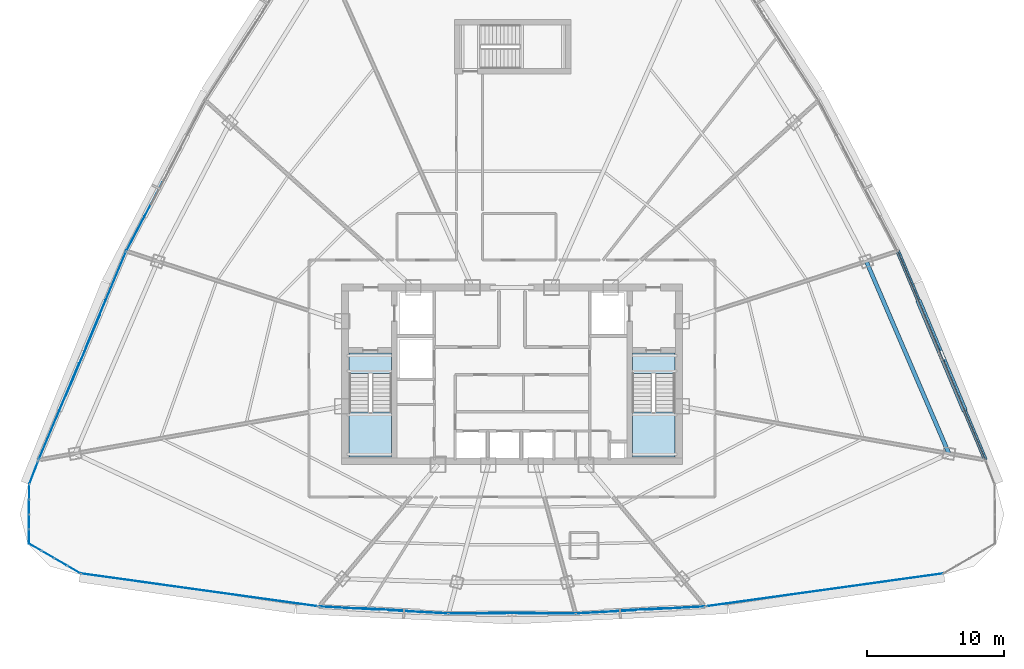
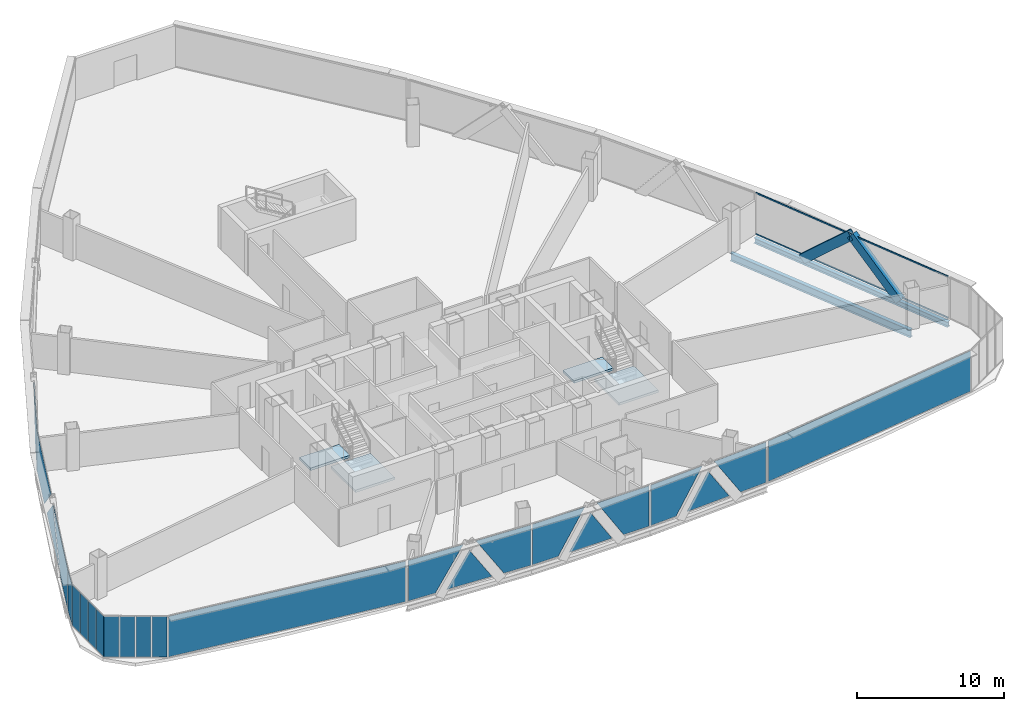
# One storey, part 27 of 36: 24 plates, 4 members, 4 slabs, 2 beams, 13 elements without a shape of their own.
"""IFC4 building model written with IfcOpenShell, lengths in metres."""

from ifc_helpers import new_model, si_unit, direction, frame, origin, origin_2d, place, context, subcontext, project, spatial, polyline, rectangle, hollow_rectangle, i_section, outline, extrude, source, transform, mapped, material, layer, layer_set, material_profile, profile_set, type_object, element, aggregate, save


model = new_model("IFC4")

# Units and contexts
model_context = context("Model", 3, precision=1e-05, world=origin(), true_north=direction((0.0, 1.0)))
body_context = subcontext(model_context, "Body", "Model", "MODEL_VIEW")
ifc_project = project(units=[si_unit("LENGTHUNIT", "METRE"), si_unit("AREAUNIT", "SQUARE_METRE"), si_unit("VOLUMEUNIT", "CUBIC_METRE"), si_unit("PLANEANGLEUNIT", "RADIAN"), si_unit("MASSUNIT", "GRAM", prefix="KILO"), si_unit("THERMODYNAMICTEMPERATUREUNIT", "KELVIN"), si_unit("POWERUNIT", "WATT")], contexts=[model_context])

# Site, building, storey
site_placement = place(None, origin())
site = spatial("IfcSite", under=ifc_project, at=site_placement, CompositionType="ELEMENT")
building_placement = place(site_placement, origin())
building = spatial("IfcBuilding", under=site, at=building_placement, Name="Yunzhuo Pagoda Commons", CompositionType="ELEMENT")
storey_placement = place(building_placement, frame((0.0, 0.0, 244.530029296875)))
storey = spatial("IfcBuildingStorey", under=building, at=storey_placement, Name="L61", CompositionType="ELEMENT", Elevation=244.530029296875)

# Beams
ifc_material_1 = material(Name="Structural steel Q355B", Category="steel")
ifc_material_profile_1 = material_profile(ifc_material_1, i_section(OverallWidth=0.300048828125, OverallDepth=0.64990234375, WebThickness=0.012939453125, FlangeThickness=0.02197265625, at=origin_2d()), Name="Structural steel Q355B")
ifc_profile_set_1 = profile_set([ifc_material_profile_1], Name="Structural steel Q355B")
beam_type_1 = type_object("IfcBeamType", Name="B-RG2 Beam HN 650x300x13x22", PredefinedType="BEAM", material=ifc_profile_set_1)
shared_shape_1 = source(origin(), body_context, "Body", "SweptSolid", [
    extrude(i_section(OverallWidth=0.300048828125, OverallDepth=0.64990234375, WebThickness=0.012939453125, FlangeThickness=0.02197265625, at=origin_2d()), origin(), (0.0, 0.0, 1.0), 15.28759765625),
])
beam_1_placement = place(storey_placement, frame((79.93408203125, 28.069091796875, -0.5849609375), z_axis=(-0.394788372839, 0.918772083093, 0.0), x_axis=(-0.918772083093, -0.394788372839, 0.0)))
element("IfcBeam", 1, at=beam_1_placement, inside=storey, type_object=beam_type_1, Name="L61 column-ring beam 5", PredefinedType="BEAM", context=body_context, shape_type="MappedRepresentation", body=[
    mapped(shared_shape_1, transform((0.0, 0.0, 0.0), scale=1.0)),
])
ifc_material_profile_2 = material_profile(ifc_material_1, i_section(OverallWidth=0.300048828125, OverallDepth=0.43994140625, WebThickness=0.010986328125, FlangeThickness=0.01806640625, at=origin_2d()), Name="Structural steel Q355B")
ifc_profile_set_2 = profile_set([ifc_material_profile_2], Name="Structural steel Q355B")
beam_type_2 = type_object("IfcBeamType", Name="B-SP2 Beam HM 440x300x11x18", PredefinedType="BEAM", material=ifc_profile_set_2)
shared_shape_2 = source(origin(), body_context, "Body", "SweptSolid", [
    extrude(i_section(OverallWidth=0.300048828125, OverallDepth=0.43994140625, WebThickness=0.010986328125, FlangeThickness=0.01806640625, at=origin_2d()), origin(), (0.0, 0.0, 1.0), 16.5537109375),
])
beam_2_placement = place(storey_placement, frame((82.6044921875, 27.598388671875, -0.47998046875), z_axis=(-0.387160772063, 0.922012221489, 0.0), x_axis=(-0.922012221489, -0.387160772063, 0.0)))
element("IfcBeam", 2, at=beam_2_placement, inside=storey, type_object=beam_type_2, Name="L61 facade edge spandrel beam F2.1", PredefinedType="BEAM", context=body_context, shape_type="MappedRepresentation", body=[
    mapped(shared_shape_2, transform((0.0, 0.0, 0.0), scale=1.0)),
])

# Members
ifc_material_profile_3 = material_profile(ifc_material_1, hollow_rectangle(XDim=0.39990234375, YDim=0.719970703125, WallThickness=0.02392578125, at=origin_2d()), Name="Structural steel Q355B")
ifc_profile_set_3 = profile_set([ifc_material_profile_3], Name="Structural steel Q355B")
member_type_1 = type_object("IfcMemberType", Name="M-DL2 Brace BOX 720x400x24", PredefinedType="BRACE", material=ifc_profile_set_3)
shared_shape_3 = source(origin(), body_context, "Body", "SweptSolid", [
    extrude(hollow_rectangle(XDim=0.39990234375, YDim=0.719970703125, WallThickness=0.02392578125, at=origin_2d()), origin(), (0.0, 0.0, 1.0), 5.571044921875),
])
for number, where, z_axis, x_axis, name in (
    (3, (81.002197265625, 31.414306640625, -0.259765625), (-0.287614702864, 0.684876211544, 0.669494105692), (-0.921998112724, -0.387194369965, 0.0), "L61 facade diamond brace F2.1L"),
    (4, (77.797607421875, 39.04541015625, -0.259765625), (0.287606070571, -0.684899478433, 0.669474011902), (0.922006956735, 0.387173309684, 0.0), "L61 facade diamond brace F2.1R"),
):
    element("IfcMember", number, at=place(storey_placement, frame(where, z_axis=z_axis, x_axis=x_axis)), inside=storey, type_object=member_type_1, Name=name, PredefinedType="BRACE", context=body_context, shape_type="MappedRepresentation", body=[
        mapped(shared_shape_3, transform((0.0, 0.0, 0.0), scale=1.0)),
    ])

# Curtain wall, members
ifc_material_2 = material(Name="Anodized aluminium 6063-T6", Category="aluminium")
ifc_layer_1 = layer(ifc_material_2, 0.139892578125)
ifc_layer_set_1 = layer_set([ifc_layer_1], Name="Anodized aluminium 6063-T6")
curtain_wall_type_1 = type_object("IfcCurtainWallType", Name="CW-HI High-Zone Ribbon Curtain Wall", PredefinedType="NOTDEFINED", material=ifc_layer_set_1)
curtain_wall_1_placement = place(storey_placement, origin())
curtain_wall_1 = element("IfcCurtainWall", 5, at=curtain_wall_1_placement, inside=storey, type_object=curtain_wall_type_1, Name="L61 curtain wall CW-L61-F2B2", PredefinedType="NOTDEFINED")
ifc_material_profile_4 = material_profile(ifc_material_2, hollow_rectangle(XDim=0.054931640625, YDim=0.1201171875, WallThickness=0.00341796875, at=origin_2d()), Name="Anodized aluminium 6063-T6")
ifc_profile_set_4 = profile_set([ifc_material_profile_4], Name="Anodized aluminium 6063-T6")
member_type_2 = type_object("IfcMemberType", Name="CW-HI-T Transom RHS 120x55x3.5", PredefinedType="USERDEFINED", material=ifc_profile_set_4)
shared_shape_4 = source(origin(), body_context, "Body", "SweptSolid", [
    extrude(hollow_rectangle(XDim=0.054931640625, YDim=0.1201171875, WallThickness=0.00341796875, at=origin_2d()), origin(), (0.0, 0.0, 1.0), 16.433837890625),
])
member_1_placement = place(storey_placement, frame((82.581298828125, 27.65380859375, 0.027587890625), z_axis=(-0.38717616129, 0.922005759271, 0.0), x_axis=(-0.922005759271, -0.38717616129, 0.0)))
member_1 = element("IfcMember", 6, at=member_1_placement, type_object=member_type_2, Name="CW transom 1.1", ObjectType="TRANSOM", PredefinedType="USERDEFINED", context=body_context, shape_type="MappedRepresentation", body=[
    mapped(shared_shape_4, transform((0.0, 0.0, 0.0), scale=1.0)),
])
member_2_placement = place(storey_placement, frame((82.581298828125, 27.65380859375, 3.4423828125), z_axis=(-0.38717616129, 0.922005759271, 0.0), x_axis=(-0.922005759271, -0.38717616129, 0.0)))
member_2 = element("IfcMember", 7, at=member_2_placement, type_object=member_type_2, Name="CW transom 1.2", ObjectType="TRANSOM", PredefinedType="USERDEFINED", context=body_context, shape_type="MappedRepresentation", body=[
    mapped(shared_shape_4, transform((0.0, 0.0, 0.0), scale=1.0)),
])
aggregate(curtain_wall_1, [member_1, member_2])

# Curtain wall, plates
curtain_wall_2_placement = place(storey_placement, origin())
curtain_wall_2 = element("IfcCurtainWall", 8, at=curtain_wall_2_placement, inside=storey, type_object=curtain_wall_type_1, Name="L61 curtain wall CW-L61-F1B2", PredefinedType="NOTDEFINED")
ifc_material_3 = material(Name="Tempered low-e double glazing", Category="glass")
ifc_layer_2 = layer(ifc_material_3, 0.02587890625)
ifc_layer_set_2 = layer_set([ifc_layer_2], Name="Tempered low-e double glazing")
plate_type_1 = type_object("IfcPlateType", Name="CW-HI-P Low-E Double Glazing 26", PredefinedType="CURTAIN_PANEL", material=ifc_layer_set_2)
plate_1_placement = place(storey_placement, frame((36.045654296875, 16.781494140625, 1.73486328125), z_axis=(-0.054497194278, -0.998513923697, 0.0), x_axis=(0.998513923697, -0.054497194278, 0.0)))
plate_1 = element("IfcPlate", 9, at=plate_1_placement, type_object=plate_type_1, Name="CW panel 1.1 lite 1", PredefinedType="CURTAIN_PANEL", context=body_context, shape_type="SweptSolid", body=[
    extrude(outline(polyline([(-2.097412109375, -1.679931640625), (-0.03759765625, -1.679931640625), (2.097412109375, 1.679931640625), (-2.097412109375, 1.679931640625), (-2.097412109375, -1.679931640625)])), origin(), (0.0, 0.0, 1.0), 0.028076171875),
])
plate_2_placement = place(storey_placement, frame((38.625732421875, 16.6708984375, 1.408203125), z_axis=(-0.054497194278, -0.998513923697, 0.0), x_axis=(0.998513923697, -0.054497194278, 0.0)))
plate_2 = element("IfcPlate", 10, at=plate_2_placement, type_object=plate_type_1, Name="CW panel 1.1 lite 2", PredefinedType="CURTAIN_PANEL", context=body_context, shape_type="SweptSolid", body=[
    extrude(outline(polyline([(-1.719482421875, -1.353271484375), (1.719482421875, -1.353271484375), (0.0, 1.353271484375), (-1.719482421875, -1.353271484375)])), origin(), (0.0, 0.0, 1.0), 0.028076171875),
])
plate_3_placement = place(storey_placement, frame((41.20263671875, 16.500244140625, 1.73486328125), z_axis=(-0.054497194278, -0.998513923697, 0.0), x_axis=(0.998513923697, -0.054497194278, 0.0)))
plate_3 = element("IfcPlate", 11, at=plate_3_placement, type_object=plate_type_1, Name="CW panel 1.1 lite 3", PredefinedType="CURTAIN_PANEL", context=body_context, shape_type="SweptSolid", body=[
    extrude(outline(polyline([(-2.097412109375, 1.679931640625), (0.03759765625, -1.679931640625), (2.097412109375, -1.679931640625), (2.097412109375, 1.679931640625), (-2.097412109375, 1.679931640625)])), origin(), (0.0, 0.0, 1.0), 0.028076171875),
])
aggregate(curtain_wall_2, [plate_1, plate_2, plate_3])

curtain_wall_3_placement = place(storey_placement, origin())
curtain_wall_3 = element("IfcCurtainWall", 12, at=curtain_wall_3_placement, inside=storey, type_object=curtain_wall_type_1, Name="L61 curtain wall CW-L61-F1B3", PredefinedType="NOTDEFINED")
plate_4_placement = place(storey_placement, frame((45.467041015625, 16.3828125, 1.73486328125), z_axis=(0.0, -1.0, 0.0), x_axis=(1.0, 0.0, 0.0)))
plate_4 = element("IfcPlate", 13, at=plate_4_placement, type_object=plate_type_1, Name="CW panel 1.1 lite 1", PredefinedType="CURTAIN_PANEL", context=body_context, shape_type="SweptSolid", body=[
    extrude(outline(polyline([(-2.051025390625, -1.679931640625), (-0.04052734375, -1.679931640625), (2.051025390625, 1.679931640625), (-2.051025390625, 1.679931640625), (-2.051025390625, -1.679931640625)])), origin(), (0.0, 0.0, 1.0), 0.028076171875),
])
plate_5_placement = place(storey_placement, frame((48.0, 16.41259765625, 1.403076171875), z_axis=(0.0, -1.0, 0.0), x_axis=(1.0, 0.0, 0.0)))
plate_5 = element("IfcPlate", 14, at=plate_5_placement, type_object=plate_type_1, Name="CW panel 1.1 lite 2", PredefinedType="CURTAIN_PANEL", context=body_context, shape_type="SweptSolid", body=[
    extrude(outline(polyline([(-1.67822265625, -1.347900390625), (1.67822265625, -1.347900390625), (0.0, 1.347900390625), (-1.67822265625, -1.347900390625)])), origin(), (0.0, 0.0, 1.0), 0.028076171875),
])
plate_6_placement = place(storey_placement, frame((50.532958984375, 16.3828125, 1.73486328125), z_axis=(0.0, -1.0, 0.0), x_axis=(1.0, 0.0, 0.0)))
plate_6 = element("IfcPlate", 15, at=plate_6_placement, type_object=plate_type_1, Name="CW panel 1.1 lite 3", PredefinedType="CURTAIN_PANEL", context=body_context, shape_type="SweptSolid", body=[
    extrude(outline(polyline([(-2.051025390625, 1.679931640625), (0.04052734375, -1.679931640625), (2.051025390625, -1.679931640625), (2.051025390625, 1.679931640625), (-2.051025390625, 1.679931640625)])), origin(), (0.0, 0.0, 1.0), 0.028076171875),
])
aggregate(curtain_wall_3, [plate_4, plate_5, plate_6])

curtain_wall_4_placement = place(storey_placement, origin())
curtain_wall_4 = element("IfcCurtainWall", 16, at=curtain_wall_4_placement, inside=storey, type_object=curtain_wall_type_1, Name="L61 curtain wall CW-L61-F1B4", PredefinedType="NOTDEFINED")
plate_7_placement = place(storey_placement, frame((54.79736328125, 16.500244140625, 1.73486328125), z_axis=(0.054497194278, -0.998513923697, 0.0), x_axis=(0.998513923697, 0.054497194278, 0.0)))
plate_7 = element("IfcPlate", 17, at=plate_7_placement, type_object=plate_type_1, Name="CW panel 1.1 lite 1", PredefinedType="CURTAIN_PANEL", context=body_context, shape_type="SweptSolid", body=[
    extrude(outline(polyline([(-2.097412109375, -1.679931640625), (-0.03759765625, -1.679931640625), (2.097412109375, 1.679931640625), (-2.097412109375, 1.679931640625), (-2.097412109375, -1.679931640625)])), origin(), (0.0, 0.0, 1.0), 0.028076171875),
])
plate_8_placement = place(storey_placement, frame((57.374267578125, 16.6708984375, 1.408203125), z_axis=(0.054497194278, -0.998513923697, 0.0), x_axis=(0.998513923697, 0.054497194278, 0.0)))
plate_8 = element("IfcPlate", 18, at=plate_8_placement, type_object=plate_type_1, Name="CW panel 1.1 lite 2", PredefinedType="CURTAIN_PANEL", context=body_context, shape_type="SweptSolid", body=[
    extrude(outline(polyline([(-1.719482421875, -1.353271484375), (1.719482421875, -1.353271484375), (0.0, 1.353271484375), (-1.719482421875, -1.353271484375)])), origin(), (0.0, 0.0, 1.0), 0.028076171875),
])
plate_9_placement = place(storey_placement, frame((59.954345703125, 16.781494140625, 1.73486328125), z_axis=(0.054497194278, -0.998513923697, 0.0), x_axis=(0.998513923697, 0.054497194278, 0.0)))
plate_9 = element("IfcPlate", 19, at=plate_9_placement, type_object=plate_type_1, Name="CW panel 1.1 lite 3", PredefinedType="CURTAIN_PANEL", context=body_context, shape_type="SweptSolid", body=[
    extrude(outline(polyline([(-2.097412109375, 1.679931640625), (0.03759765625, -1.679931640625), (2.097412109375, -1.679931640625), (2.097412109375, 1.679931640625), (-2.097412109375, 1.679931640625)])), origin(), (0.0, 0.0, 1.0), 0.028076171875),
])
aggregate(curtain_wall_4, [plate_7, plate_8, plate_9])

# Curtain wall, plate
curtain_wall_5_placement = place(storey_placement, origin())
curtain_wall_5 = element("IfcCurtainWall", 20, at=curtain_wall_5_placement, inside=storey, type_object=curtain_wall_type_1, Name="L61 curtain wall CW-L61-F3B3", PredefinedType="NOTDEFINED")
plate_10_placement = place(storey_placement, frame((21.1513671875, 45.396484375, 1.73486328125), z_axis=(-0.88543295769, 0.464767121725, 0.0), x_axis=(-0.464767121725, -0.88543295769, 0.0)))
plate_10 = element("IfcPlate", 21, at=plate_10_placement, type_object=plate_type_1, Name="CW panel 1.1 lite 3", PredefinedType="CURTAIN_PANEL", context=body_context, shape_type="SweptSolid", body=[
    extrude(outline(polyline([(-2.810546875, 1.679931640625), (-0.00830078125, -1.679931640625), (2.810546875, -1.679931640625), (2.810546875, 1.679931640625), (-2.810546875, 1.679931640625)])), origin(), (0.0, 0.0, 1.0), 0.028076171875),
])
aggregate(curtain_wall_5, [plate_10])

# Curtain wall, plates
curtain_wall_6_placement = place(storey_placement, origin())
curtain_wall_6 = element("IfcCurtainWall", 22, at=curtain_wall_6_placement, inside=storey, type_object=curtain_wall_type_1, Name="L61 curtain wall CW-L61-F3B4", PredefinedType="NOTDEFINED")
plate_11_placement = place(storey_placement, frame((18.325439453125, 39.30224609375, 1.73486328125), z_axis=(-0.922008372235, 0.387169938824, 0.0), x_axis=(-0.387169938824, -0.922008372235, 0.0)))
plate_11 = element("IfcPlate", 23, at=plate_11_placement, type_object=plate_type_1, Name="CW panel 1.1 lite 1", PredefinedType="CURTAIN_PANEL", context=body_context, shape_type="SweptSolid", body=[
    extrude(outline(polyline([(-3.794189453125, -1.679931640625), (0.066162109375, -1.679931640625), (3.794189453125, 1.679931640625), (-3.794189453125, 1.679931640625), (-3.794189453125, -1.679931640625)])), origin(), (0.0, 0.0, 1.0), 0.028076171875),
])
plate_12_placement = place(storey_placement, frame((16.640625, 35.212646484375, 1.506591796875), z_axis=(-0.922008372235, 0.387169938824, 0.0), x_axis=(-0.387169938824, -0.922008372235, 0.0)))
plate_12 = element("IfcPlate", 24, at=plate_12_placement, type_object=plate_type_1, Name="CW panel 1.1 lite 2", PredefinedType="CURTAIN_PANEL", context=body_context, shape_type="SweptSolid", body=[
    extrude(outline(polyline([(-3.221435546875, -1.45166015625), (3.221435546875, -1.45166015625), (0.0, 1.45166015625), (-3.221435546875, -1.45166015625)])), origin(), (0.0, 0.0, 1.0), 0.028076171875),
])
plate_13_placement = place(storey_placement, frame((14.900634765625, 31.146484375, 1.73486328125), z_axis=(-0.922008372235, 0.387169938824, 0.0), x_axis=(-0.387169938824, -0.922008372235, 0.0)))
plate_13 = element("IfcPlate", 25, at=plate_13_placement, type_object=plate_type_1, Name="CW panel 1.1 lite 3", PredefinedType="CURTAIN_PANEL", context=body_context, shape_type="SweptSolid", body=[
    extrude(outline(polyline([(-3.794189453125, 1.679931640625), (-0.06640625, -1.679931640625), (3.794189453125, -1.679931640625), (3.794189453125, 1.679931640625), (-3.794189453125, 1.679931640625)])), origin(), (0.0, 0.0, 1.0), 0.028076171875),
])
aggregate(curtain_wall_6, [plate_11, plate_12, plate_13])

# Stair, slabs
ifc_material_4 = material(Name="Concrete C40", Category="concrete")
stair_type_1 = type_object("IfcStairType", Name="ST-C1 Core Smokeproof Stair ST1", PredefinedType="HALF_TURN_STAIR", material=ifc_material_4)
stair_1_placement = place(storey_placement, origin())
stair_1 = element("IfcStair", 26, at=stair_1_placement, inside=storey, type_object=stair_type_1, Name="L61 Core smokeproof stair ST1", PredefinedType="HALF_TURN_STAIR")
ifc_layer_3 = layer(ifc_material_4, 0.199951171875)
ifc_layer_set_3 = layer_set([ifc_layer_3], Name="Concrete C40")
slab_type_1 = type_object("IfcSlabType", Name="SL-LND1 Stair Landing Slab 200", PredefinedType="LANDING", material=ifc_layer_set_3)
slab_1_placement = place(storey_placement, frame((0.0, 0.0, 1.6650390625)))
slab_1 = element("IfcSlab", 27, at=slab_1_placement, type_object=slab_type_1, Name="ST1 landing 1", PredefinedType="LANDING", context=body_context, shape_type="SweptSolid", body=[
    extrude(outline(polyline([(36.10009765625, 31.10009765625), (36.10009765625, 27.800048828125), (39.199951171875, 27.800048828125), (39.199951171875, 31.10009765625), (36.10009765625, 31.10009765625)])), origin(), (0.0, 0.0, 1.0), 0.199951171875),
])
slab_2_placement = place(storey_placement, frame((0.0, 0.0, -0.199951171875)))
slab_2 = element("IfcSlab", 28, at=slab_2_placement, type_object=slab_type_1, Name="ST1 floor landing L61", PredefinedType="LANDING", context=body_context, shape_type="SweptSolid", body=[
    extrude(outline(polyline([(36.10009765625, 35.39990234375), (36.10009765625, 33.89990234375), (39.199951171875, 33.89990234375), (39.199951171875, 35.39990234375), (36.10009765625, 35.39990234375)])), origin(), (0.0, 0.0, 1.0), 0.199951171875),
])
aggregate(stair_1, [slab_1, slab_2])

stair_type_2 = type_object("IfcStairType", Name="ST-C2 Core Smokeproof Stair ST2", PredefinedType="HALF_TURN_STAIR", material=ifc_material_4)
stair_2_placement = place(storey_placement, origin())
stair_2 = element("IfcStair", 29, at=stair_2_placement, inside=storey, type_object=stair_type_2, Name="L61 Core smokeproof stair ST2", PredefinedType="HALF_TURN_STAIR")
ifc_layer_4 = layer(ifc_material_4, 0.201904296875)
ifc_layer_set_4 = layer_set([ifc_layer_4], Name="Concrete C40")
slab_type_2 = type_object("IfcSlabType", Name="SL-LND2 Stair Landing Slab 202", PredefinedType="LANDING", material=ifc_layer_set_4)
slab_3_placement = place(storey_placement, frame((0.0, 0.0, 1.6650390625)))
slab_3 = element("IfcSlab", 30, at=slab_3_placement, type_object=slab_type_2, Name="ST2 landing 1", PredefinedType="LANDING", context=body_context, shape_type="SweptSolid", body=[
    extrude(outline(polyline([(56.800048828125, 31.10009765625), (56.800048828125, 27.800048828125), (59.89990234375, 27.800048828125), (59.89990234375, 31.10009765625), (56.800048828125, 31.10009765625)])), origin(), (0.0, 0.0, 1.0), 0.199951171875),
])
slab_4_placement = place(storey_placement, frame((0.0, 0.0, -0.199951171875)))
slab_4 = element("IfcSlab", 31, at=slab_4_placement, type_object=slab_type_2, Name="ST2 floor landing L61", PredefinedType="LANDING", context=body_context, shape_type="SweptSolid", body=[
    extrude(outline(polyline([(56.800048828125, 35.39990234375), (56.800048828125, 33.89990234375), (59.89990234375, 33.89990234375), (59.89990234375, 35.39990234375), (56.800048828125, 35.39990234375)])), origin(), (0.0, 0.0, 1.0), 0.199951171875),
])
aggregate(stair_2, [slab_3, slab_4])

# Curtain wall, plate
curtain_wall_7_placement = place(storey_placement, origin())
curtain_wall_7 = element("IfcCurtainWall", 32, at=curtain_wall_7_placement, inside=storey, type_object=curtain_wall_type_1, Name="L61 curtain wall CW-L61-F1B1", PredefinedType="NOTDEFINED")
shared_shape_5 = source(origin(), body_context, "Body", "SweptSolid", [
    extrude(rectangle(XDim=17.41650390625, YDim=0.028076171875, at=origin_2d()), origin(), (0.0, 0.0, 1.0), 3.360107421875),
])
plate_14_placement = place(storey_placement, frame((25.131103515625, 18.09912109375, 0.0546875), z_axis=(0.0, 0.0, 1.0), x_axis=(0.990536382082, -0.137250412651, 0.0)))
plate_14 = element("IfcPlate", 33, at=plate_14_placement, type_object=plate_type_1, Name="CW panel 1.1", PredefinedType="CURTAIN_PANEL", context=body_context, shape_type="MappedRepresentation", body=[
    mapped(shared_shape_5, transform((0.0, 0.0, 0.0), scale=1.0)),
])
aggregate(curtain_wall_7, [plate_14])

curtain_wall_8_placement = place(storey_placement, origin())
curtain_wall_8 = element("IfcCurtainWall", 34, at=curtain_wall_8_placement, inside=storey, type_object=curtain_wall_type_1, Name="L61 curtain wall CW-L61-F1B5", PredefinedType="NOTDEFINED")
plate_15_placement = place(storey_placement, frame((70.868896484375, 18.09912109375, 0.0546875), z_axis=(0.0, 0.0, 1.0), x_axis=(0.990536382082, 0.137250412651, 0.0)))
plate_15 = element("IfcPlate", 35, at=plate_15_placement, type_object=plate_type_1, Name="CW panel 1.1", PredefinedType="CURTAIN_PANEL", context=body_context, shape_type="MappedRepresentation", body=[
    mapped(shared_shape_5, transform((0.0, 0.0, 0.0), scale=1.0)),
])
aggregate(curtain_wall_8, [plate_15])

curtain_wall_9_placement = place(storey_placement, origin())
curtain_wall_9 = element("IfcCurtainWall", 36, at=curtain_wall_9_placement, inside=storey, type_object=curtain_wall_type_1, Name="L61 curtain wall CW-L61-F3B5", PredefinedType="NOTDEFINED")
shared_shape_6 = source(origin(), body_context, "Body", "SweptSolid", [
    extrude(rectangle(XDim=1.723876953125, YDim=0.028076171875, at=origin_2d()), origin(), (0.0, 0.0, 1.0), 3.360107421875),
])
plate_16_placement = place(storey_placement, frame((13.04052734375, 26.666748046875, 0.0546875), z_axis=(0.0, 0.0, 1.0), x_axis=(-0.356117115139, -0.934441330585, 0.0)))
plate_16 = element("IfcPlate", 37, at=plate_16_placement, type_object=plate_type_1, Name="CW panel 1.1", PredefinedType="CURTAIN_PANEL", context=body_context, shape_type="MappedRepresentation", body=[
    mapped(shared_shape_6, transform((0.0, 0.0, 0.0), scale=1.0)),
])
aggregate(curtain_wall_9, [plate_16])

# Curtain wall, plates
ifc_layer_5 = layer(ifc_material_2, 0.1298828125)
ifc_layer_set_5 = layer_set([ifc_layer_5], Name="Anodized aluminium 6063-T6")
curtain_wall_type_2 = type_object("IfcCurtainWallType", Name="CW-VTX Rounded Corner Curtain Wall", PredefinedType="NOTDEFINED", material=ifc_layer_set_5)
curtain_wall_10_placement = place(storey_placement, origin())
curtain_wall_10 = element("IfcCurtainWall", 38, at=curtain_wall_10_placement, inside=storey, type_object=curtain_wall_type_2, Name="L61 curtain wall CW-L61-VTX1S1", PredefinedType="NOTDEFINED")
ifc_layer_6 = layer(ifc_material_3, 0.02587890625)
ifc_layer_set_6 = layer_set([ifc_layer_6], Name="Tempered low-e double glazing")
plate_type_2 = type_object("IfcPlateType", Name="CW-VTX-P Low-E Double Glazing 26", PredefinedType="CURTAIN_PANEL", material=ifc_layer_set_6)
shared_shape_7 = source(origin(), body_context, "Body", "SweptSolid", [
    extrude(rectangle(XDim=1.01220703125, YDim=0.028076171875, at=origin_2d()), origin(), (0.0, 0.0, 1.0), 3.360107421875),
])
plate_17_placement = place(storey_placement, frame((12.710205078125, 25.244140625, 0.0546875), z_axis=(0.0, 0.0, 1.0), x_axis=(-0.003585679809, -0.999993571429, 0.0)))
plate_17 = element("IfcPlate", 39, at=plate_17_placement, type_object=plate_type_2, Name="CW panel 1.1", PredefinedType="CURTAIN_PANEL", context=body_context, shape_type="MappedRepresentation", body=[
    mapped(shared_shape_7, transform((0.0, 0.0, 0.0), scale=1.0)),
])
plate_18_placement = place(storey_placement, frame((12.698486328125, 21.98779296875, 0.0546875), z_axis=(0.0, 0.0, 1.0), x_axis=(-0.003585679809, -0.999993571429, 0.0)))
plate_18 = element("IfcPlate", 40, at=plate_18_placement, type_object=plate_type_2, Name="CW panel 4.1", PredefinedType="CURTAIN_PANEL", context=body_context, shape_type="MappedRepresentation", body=[
    mapped(shared_shape_7, transform((0.0, 0.0, 0.0), scale=1.0)),
])

curtain_wall_11_placement = place(storey_placement, origin())
curtain_wall_11 = element("IfcCurtainWall", 41, at=curtain_wall_11_placement, inside=storey, type_object=curtain_wall_type_2, Name="L61 curtain wall CW-L61-VTX1S2", PredefinedType="NOTDEFINED")
plate_19_placement = place(storey_placement, frame((13.14208984375, 21.215087890625, 0.0546875), z_axis=(0.0, 0.0, 1.0), x_axis=(0.865426806692, -0.501035370268, 0.0)))
plate_19 = element("IfcPlate", 42, at=plate_19_placement, type_object=plate_type_2, Name="CW panel 1.1", PredefinedType="CURTAIN_PANEL", context=body_context, shape_type="MappedRepresentation", body=[
    mapped(shared_shape_7, transform((0.0, 0.0, 0.0), scale=1.0)),
])
plate_20_placement = place(storey_placement, frame((15.96044921875, 19.58349609375, 0.0546875), z_axis=(0.0, 0.0, 1.0), x_axis=(0.865426806692, -0.501035370268, 0.0)))
plate_20 = element("IfcPlate", 43, at=plate_20_placement, type_object=plate_type_2, Name="CW panel 4.1", PredefinedType="CURTAIN_PANEL", context=body_context, shape_type="MappedRepresentation", body=[
    mapped(shared_shape_7, transform((0.0, 0.0, 0.0), scale=1.0)),
])

# Plate
shared_shape_8 = source(origin(), body_context, "Body", "SweptSolid", [
    extrude(rectangle(XDim=1.03955078125, YDim=0.028076171875, at=origin_2d()), origin(), (0.0, 0.0, 1.0), 3.360107421875),
])
plate_21_placement = place(storey_placement, frame((12.706298828125, 24.163330078125, 0.0546875), z_axis=(0.0, 0.0, 1.0), x_axis=(-0.003585679809, -0.999993571429, 0.0)))
plate_21 = element("IfcPlate", 44, at=plate_21_placement, type_object=plate_type_2, Name="CW panel 2.1", PredefinedType="CURTAIN_PANEL", context=body_context, shape_type="MappedRepresentation", body=[
    mapped(shared_shape_8, transform((0.0, 0.0, 0.0), scale=1.0)),
])

plate_22_placement = place(storey_placement, frame((12.702392578125, 23.06884765625, 0.0546875), z_axis=(0.0, 0.0, 1.0), x_axis=(-0.003585679809, -0.999993571429, 0.0)))
plate_22 = element("IfcPlate", 45, at=plate_22_placement, type_object=plate_type_2, Name="CW panel 3.1", PredefinedType="CURTAIN_PANEL", context=body_context, shape_type="MappedRepresentation", body=[
    mapped(shared_shape_8, transform((0.0, 0.0, 0.0), scale=1.0)),
])

aggregate(curtain_wall_10, [plate_17, plate_21, plate_22, plate_18])

plate_23_placement = place(storey_placement, frame((14.07763671875, 20.673583984375, 0.0546875), z_axis=(0.0, 0.0, 1.0), x_axis=(0.865426806692, -0.501035370268, 0.0)))
plate_23 = element("IfcPlate", 46, at=plate_23_placement, type_object=plate_type_2, Name="CW panel 2.1", PredefinedType="CURTAIN_PANEL", context=body_context, shape_type="MappedRepresentation", body=[
    mapped(shared_shape_8, transform((0.0, 0.0, 0.0), scale=1.0)),
])

plate_24_placement = place(storey_placement, frame((15.02490234375, 20.125244140625, 0.0546875), z_axis=(0.0, 0.0, 1.0), x_axis=(0.865426806692, -0.501035370268, 0.0)))
plate_24 = element("IfcPlate", 47, at=plate_24_placement, type_object=plate_type_2, Name="CW panel 3.1", PredefinedType="CURTAIN_PANEL", context=body_context, shape_type="MappedRepresentation", body=[
    mapped(shared_shape_8, transform((0.0, 0.0, 0.0), scale=1.0)),
])

aggregate(curtain_wall_11, [plate_19, plate_23, plate_24, plate_20])

save(model, "model.ifc")
